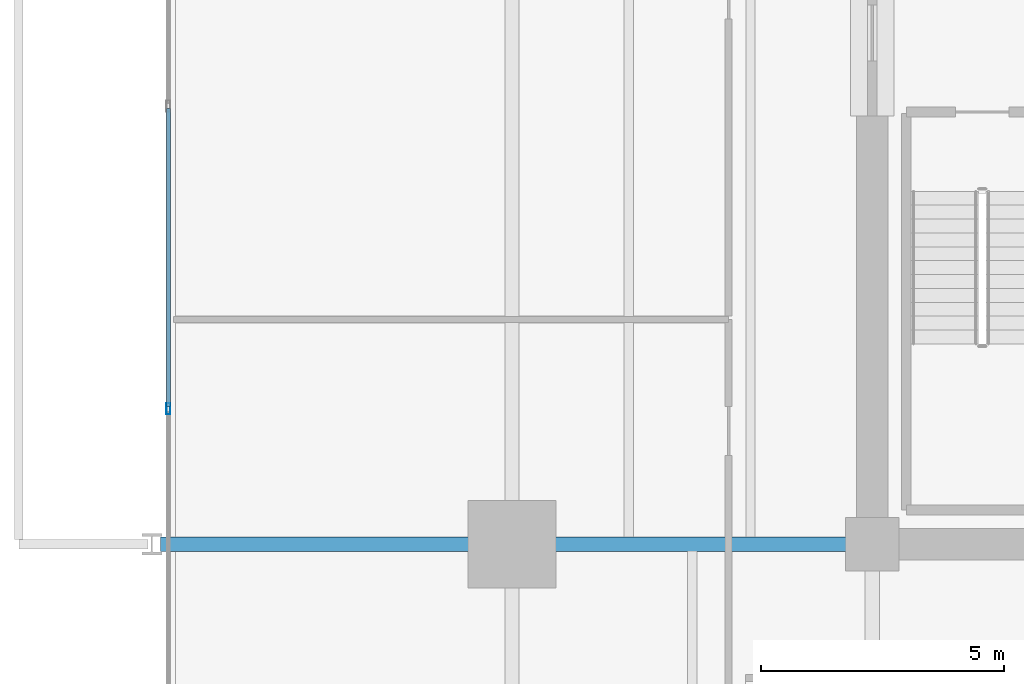
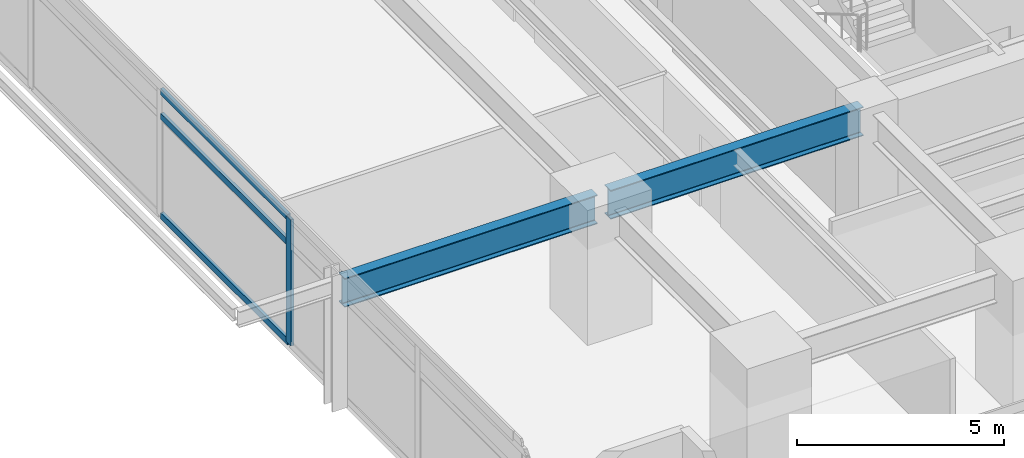
# One storey, part 6 of 21: 4 members, 2 beams, 1 element without a shape of its own.
"""IFC4 building model written with IfcOpenShell, lengths in metres."""

from ifc_helpers import new_model, si_unit, direction, frame, origin, origin_2d, place, context, subcontext, project, spatial, hollow_rectangle, i_section, extrude, material, material_profile, profile_set, type_object, element, aggregate, save


model = new_model("IFC4")

# Units and contexts
model_context = context("Model", 3, precision=1e-05, world=origin(), true_north=direction((0.0, 1.0)))
body_context = subcontext(model_context, "Body", "Model", "MODEL_VIEW")
ifc_project = project(units=[si_unit("LENGTHUNIT", "METRE"), si_unit("AREAUNIT", "SQUARE_METRE"), si_unit("VOLUMEUNIT", "CUBIC_METRE"), si_unit("PLANEANGLEUNIT", "RADIAN"), si_unit("MASSUNIT", "GRAM", prefix="KILO")], contexts=[model_context])

# Site, building, storey
site_placement = place(None, origin())
site = spatial("IfcSite", under=ifc_project, at=site_placement, CompositionType="ELEMENT")
building_placement = place(site_placement, origin())
building = spatial("IfcBuilding", under=site, at=building_placement, Name="Kovane Verandah Tower", CompositionType="ELEMENT")
storey_placement = place(building_placement, frame((0.0, 0.0, 47.60009765625)))
storey = spatial("IfcBuildingStorey", under=building, at=storey_placement, Name="L10", CompositionType="ELEMENT", Elevation=47.60009765625)

# Beams
ifc_material_1 = material(Name="Steel S355", Category="steel")
ifc_material_profile_1 = material_profile(ifc_material_1, i_section(OverallWidth=0.293701171875, OverallDepth=0.850830078125, WebThickness=0.01611328125, FlangeThickness=0.02685546875, FilletRadius=0.017822265625, at=origin_2d()), Name="UB838x292x226")
ifc_profile_set_1 = profile_set([ifc_material_profile_1], Name="Steel S355")
beam_type = type_object("IfcBeamType", Name="BM-UB838x226", PredefinedType="BEAM", material=ifc_profile_set_1)
for number, where, z_axis, x_axis, name in (
    (1, (28.820068359375, 18.5, 3.33447265625), (-1.0, 0.0, 0.0), (0.0, -1.0, 0.0), "L10 Primary Tower Girder G-W1"),
    (2, (21.419921875, 18.5, 3.33447265625), (-1.0, 0.0, 0.0), (0.0, -1.0, 0.0), "L10 Primary Tower Girder G-VW1"),
):
    element("IfcBeam", number, at=place(storey_placement, frame(where, z_axis=z_axis, x_axis=x_axis)), inside=storey, type_object=beam_type, Name=name, PredefinedType="BEAM", context=body_context, shape_type="SweptSolid", body=[
        extrude(i_section(OverallWidth=0.293701171875, OverallDepth=0.850830078125, WebThickness=0.01611328125, FlangeThickness=0.02685546875, FilletRadius=0.017822265625, at=origin_2d()), origin(), (0.0, 0.0, 1.0), 7.0400390625),
    ])

# Curtain wall, members
ifc_material_2 = material(Name="Champagne Anodised Aluminium Frame with Low-E Clear Laminated Glass", Category="aluminium")
curtain_wall_type = type_object("IfcCurtainWallType", Name="CW-SYS-02-LOW", PredefinedType="NOTDEFINED", material=ifc_material_2)
curtain_wall_placement = place(storey_placement, origin())
curtain_wall = element("IfcCurtainWall", 3, at=curtain_wall_placement, inside=storey, type_object=curtain_wall_type, Name="L10 W Unitised Curtain Wall", PredefinedType="NOTDEFINED")
ifc_material_3 = material(Name="Champagne Anodised Aluminium 6063-T6", Category="aluminium")
ifc_material_profile_2 = material_profile(ifc_material_3, hollow_rectangle(XDim=0.0849609375, YDim=0.22998046875, WallThickness=0.00390625, at=origin_2d()), Name="AL85x230x4")
ifc_profile_set_2 = profile_set([ifc_material_profile_2], Name="Champagne Anodised Aluminium 6063-T6")
member_type_1 = type_object("IfcMemberType", Name="CW-MUL-85x230", PredefinedType="MULLION", material=ifc_profile_set_2)
member_1_placement = place(storey_placement, frame((14.541015625, 21.279541015625, 0.02001953125), z_axis=(0.0, 0.0, 1.0), x_axis=(-1.0, 0.0, 0.0)))
member_1 = element("IfcMember", 4, at=member_1_placement, type_object=member_type_1, Name="L10 W Unitised Curtain Wall Mullion 5", PredefinedType="MULLION", context=body_context, shape_type="SweptSolid", body=[
    extrude(hollow_rectangle(XDim=0.0849609375, YDim=0.22998046875, WallThickness=0.00390625, at=origin_2d()), origin(), (0.0, 0.0, 1.0), 3.719970703125),
])
ifc_material_profile_3 = material_profile(ifc_material_3, hollow_rectangle(XDim=0.0849609375, YDim=0.18994140625, WallThickness=0.00390625, at=origin_2d()), Name="AL85x190x4")
ifc_profile_set_3 = profile_set([ifc_material_profile_3], Name="Champagne Anodised Aluminium 6063-T6")
member_type_2 = type_object("IfcMemberType", Name="CW-TRN-85x190", PredefinedType="USERDEFINED", material=ifc_profile_set_3)
member_2_placement = place(storey_placement, frame((14.541015625, 27.449951171875, 0.0498046875), z_axis=(0.0, -1.0, 0.0), x_axis=(1.0, 0.0, 0.0)))
member_2 = element("IfcMember", 5, at=member_2_placement, type_object=member_type_2, Name="L10 W Unitised Curtain Wall Transom TB Bay 4", ObjectType="TRANSOM", PredefinedType="USERDEFINED", context=body_context, shape_type="SweptSolid", body=[
    extrude(hollow_rectangle(XDim=0.0849609375, YDim=0.18994140625, WallThickness=0.00390625, at=origin_2d()), origin(), (0.0, 0.0, 1.0), 6.120361328125),
])
member_3_placement = place(storey_placement, frame((14.541015625, 27.449951171875, 2.97998046875), z_axis=(0.0, -1.0, 0.0), x_axis=(1.0, 0.0, 0.0)))
member_3 = element("IfcMember", 6, at=member_3_placement, type_object=member_type_2, Name="L10 W Unitised Curtain Wall Transom TM Bay 4", ObjectType="TRANSOM", PredefinedType="USERDEFINED", context=body_context, shape_type="SweptSolid", body=[
    extrude(hollow_rectangle(XDim=0.0849609375, YDim=0.18994140625, WallThickness=0.00390625, at=origin_2d()), origin(), (0.0, 0.0, 1.0), 6.120361328125),
])
member_4_placement = place(storey_placement, frame((14.541015625, 27.449951171875, 3.7099609375), z_axis=(0.0, -1.0, 0.0), x_axis=(1.0, 0.0, 0.0)))
member_4 = element("IfcMember", 7, at=member_4_placement, type_object=member_type_2, Name="L10 W Unitised Curtain Wall Transom TT Bay 4", ObjectType="TRANSOM", PredefinedType="USERDEFINED", context=body_context, shape_type="SweptSolid", body=[
    extrude(hollow_rectangle(XDim=0.0849609375, YDim=0.18994140625, WallThickness=0.00390625, at=origin_2d()), origin(), (0.0, 0.0, 1.0), 6.120361328125),
])
aggregate(curtain_wall, [member_1, member_2, member_3, member_4])

save(model, "model.ifc")
